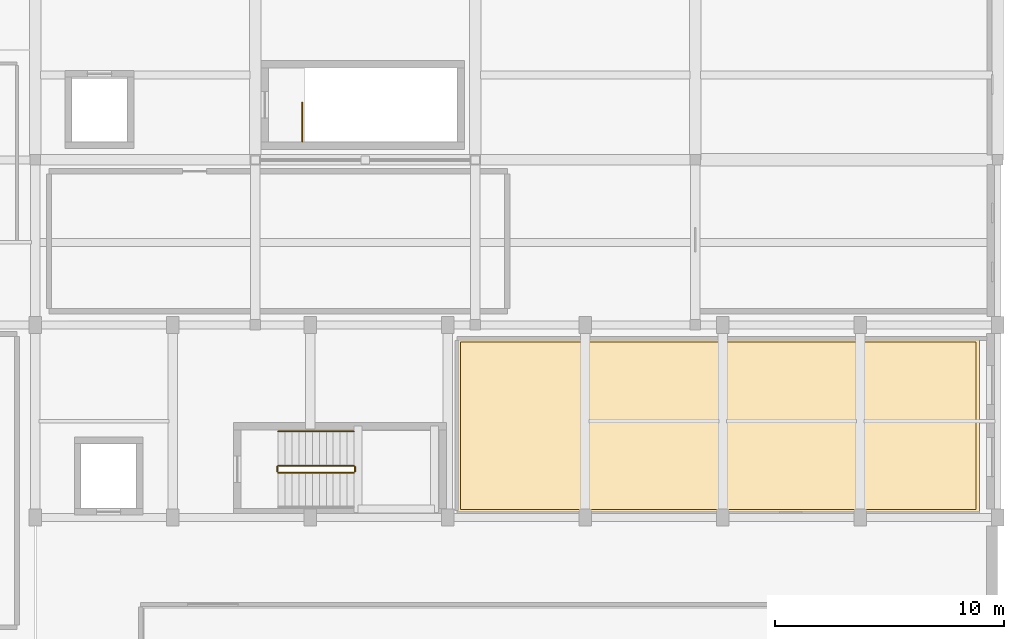
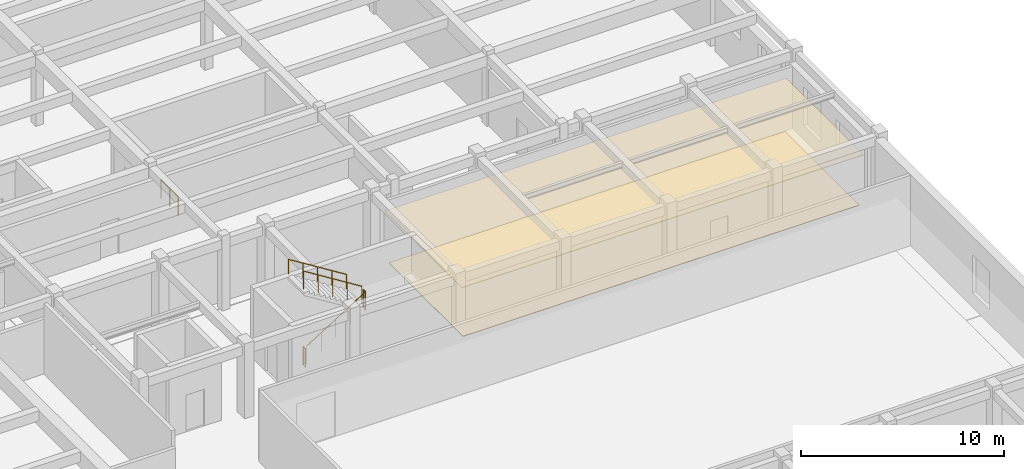
# One storey, part 91 of 91: 6 railings, 2 coverings.
"""IFC4 building model written with IfcOpenShell, lengths in metres."""

from ifc_helpers import new_model, si_unit, direction, frame, origin, origin_2d, place, context, subcontext, project, spatial, polyline, circle, outline, extrude, material, layer, layer_set, type_object, element, save


model = new_model("IFC4")

# Units and contexts
model_context = context("Model", 3, precision=1e-05, world=origin(), true_north=direction((0.0, 1.0)))
body_context = subcontext(model_context, "Body", "Model", "MODEL_VIEW")
ifc_project = project(units=[si_unit("LENGTHUNIT", "METRE"), si_unit("AREAUNIT", "SQUARE_METRE"), si_unit("VOLUMEUNIT", "CUBIC_METRE"), si_unit("PLANEANGLEUNIT", "RADIAN"), si_unit("MASSUNIT", "GRAM", prefix="KILO")], contexts=[model_context])

# Site, building, storey
site_placement = place(None, origin())
site = spatial("IfcSite", under=ifc_project, at=site_placement, CompositionType="ELEMENT")
building_placement = place(site_placement, origin())
building = spatial("IfcBuilding", under=site, at=building_placement, Name="Tarnavel Promenade Courthouse", CompositionType="ELEMENT")
storey_placement = place(building_placement, frame((0.0, 0.0, 9.89990234375)))
storey = spatial("IfcBuildingStorey", under=building, at=storey_placement, Name="L03", CompositionType="ELEMENT", Elevation=9.89990234375)

# Railing
ifc_material_1 = material(Name="Brushed Bronze Tubular Stair Handrail")
railing_type_1 = type_object("IfcRailingType", Name="Brushed Bronze Tubular Stair Handrail (RL-HND-0900)", PredefinedType="HANDRAIL", material=ifc_material_1)
railing_1_placement = place(storey_placement, frame((133.89990234375, 62.550048828125, 2.4375)))
element("IfcRailing", 1, at=railing_1_placement, inside=storey, type_object=railing_type_1, Name="L03 ST-08 stair handrail 2", PredefinedType="HANDRAIL", context=body_context, shape_type="SweptSolid", body=[
    extrude(circle(Radius=0.02392578125, at=origin_2d()), frame((0.0, 0.0, 0.8759765625), z_axis=(-0.847984204989, 0.0, 0.530021497762), x_axis=(0.0, -1.0, 0.0)), (0.0, 0.0, 1.0), 3.891357421875),
    extrude(circle(Radius=0.02099609375, at=origin_2d()), origin(), (0.0, 0.0, 1.0), 0.851806640625),
    extrude(circle(Radius=0.02099609375, at=origin_2d()), frame((-0.824951171875, 0.0, 0.515625)), (0.0, 0.0, 1.0), 0.851806640625),
    extrude(circle(Radius=0.02099609375, at=origin_2d()), frame((-1.64990234375, 0.0, 1.03125)), (0.0, 0.0, 1.0), 0.851806640625),
    extrude(circle(Radius=0.02099609375, at=origin_2d()), frame((-2.474853515625, 0.0, 1.546875)), (0.0, 0.0, 1.0), 0.851806640625),
    extrude(circle(Radius=0.02099609375, at=origin_2d()), frame((-3.2998046875, 0.0, 2.0625)), (0.0, 0.0, 1.0), 0.851806640625),
])

# Coverings
ifc_material_2 = material(Name="Engineered Smoked Oak Courtroom & Chambers Parquet")
ifc_layer_1 = layer(ifc_material_2, 0.031982421875)
ifc_layer_set_1 = layer_set([ifc_layer_1], Name="Engineered Smoked Oak Courtroom & Chambers Parquet")
covering_type_1 = type_object("IfcCoveringType", Name="Engineered Smoked Oak Courtroom & Chambers Parquet (COV-FLR-OAK-32)", PredefinedType="FLOORING", material=ifc_layer_set_1)
covering_1_placement = place(storey_placement, origin())
element("IfcCovering", 2, at=covering_1_placement, inside=storey, type_object=covering_type_1, Name="L03 Presiding Justices' Ceremonial Robing Suite Architectural Flooring 0022", PredefinedType="FLOORING", context=body_context, shape_type="SweptSolid", body=[
    extrude(outline(polyline([(138.550048828125, 59.14990234375), (161.050048828125, 59.14990234375), (161.050048828125, 66.449951171875), (138.550048828125, 66.449951171875), (138.550048828125, 59.14990234375)])), origin(), (0.0, 0.0, 1.0), 0.031982421875),
])
ifc_material_3 = material(Name="Micro-Perforated Acoustic Mineral-Fibre Ceiling")
ifc_layer_2 = layer(ifc_material_3, 0.044921875)
ifc_layer_set_2 = layer_set([ifc_layer_2], Name="Micro-Perforated Acoustic Mineral-Fibre Ceiling")
covering_type_2 = type_object("IfcCoveringType", Name="Micro-Perforated Acoustic Mineral-Fibre Ceiling (COV-CLG-MIN-45)", PredefinedType="CEILING", material=ifc_layer_set_2)
covering_2_placement = place(storey_placement, frame((0.0, 0.0, 3.05517578125)))
element("IfcCovering", 3, at=covering_2_placement, inside=storey, type_object=covering_type_2, Name="L03 Presiding Justices' Ceremonial Robing Suite Acoustic Ceiling 0022", PredefinedType="CEILING", context=body_context, shape_type="SweptSolid", body=[
    extrude(outline(polyline([(138.39990234375, 59.0), (161.199951171875, 59.0), (161.199951171875, 66.60009765625), (138.39990234375, 66.60009765625), (138.39990234375, 59.0)])), origin(), (0.0, 0.0, 1.0), 0.044921875),
])

# Railings
ifc_material_4 = material(Name="Painted Architectural Steel Core Stair Guardrail", Category="steel")
railing_type_2 = type_object("IfcRailingType", Name="Painted Architectural Steel Core Stair Guardrail (RL-GRD-1100)", PredefinedType="GUARDRAIL", material=ifc_material_4)
railing_2_placement = place(storey_placement, frame((131.64990234375, 75.199951171875, 0.0)))
element("IfcRailing", 4, at=railing_2_placement, inside=storey, type_object=railing_type_2, Name="L03 ST-06 top well guard 1", PredefinedType="GUARDRAIL", context=body_context, shape_type="SweptSolid", body=[
    extrude(circle(Radius=0.02392578125, at=origin_2d()), frame((0.0, 0.0, 1.076171875), z_axis=(0.0, 1.0, 0.0), x_axis=(-1.0, 0.0, 0.0)), (0.0, 0.0, 1.0), 1.699951171875),
    extrude(circle(Radius=0.02099609375, at=origin_2d()), origin(), (0.0, 0.0, 1.0), 1.052001953125),
    extrude(circle(Radius=0.02099609375, at=origin_2d()), frame((0.0, 0.85009765625, 0.0)), (0.0, 0.0, 1.0), 1.052001953125),
    extrude(circle(Radius=0.02099609375, at=origin_2d()), frame((0.0, 1.699951171875, 0.0)), (0.0, 0.0, 1.0), 1.052001953125),
])
railing_3_placement = place(storey_placement, frame((130.60009765625, 60.75, 0.1875)))
element("IfcRailing", 5, at=railing_3_placement, inside=storey, type_object=railing_type_2, Name="L03 ST-08 stair guard 1", PredefinedType="GUARDRAIL", context=body_context, shape_type="SweptSolid", body=[
    extrude(circle(Radius=0.02392578125, at=origin_2d()), frame((0.0, 0.0, 1.076171875), z_axis=(0.847984204989, 0.0, 0.530021497762), x_axis=(0.0, 1.0, 0.0)), (0.0, 0.0, 1.0), 3.891357421875),
    extrude(circle(Radius=0.02099609375, at=origin_2d()), origin(), (0.0, 0.0, 1.0), 1.052001953125),
    extrude(circle(Radius=0.02099609375, at=origin_2d()), frame((0.824951171875, 0.0, 0.515625)), (0.0, 0.0, 1.0), 1.052001953125),
    extrude(circle(Radius=0.02099609375, at=origin_2d()), frame((1.64990234375, 0.0, 1.03125)), (0.0, 0.0, 1.0), 1.052001953125),
    extrude(circle(Radius=0.02099609375, at=origin_2d()), frame((2.474853515625, 0.0, 1.546875)), (0.0, 0.0, 1.0), 1.052001953125),
    extrude(circle(Radius=0.02099609375, at=origin_2d()), frame((3.2998046875, 0.0, 2.0625)), (0.0, 0.0, 1.0), 1.052001953125),
])
railing_4_placement = place(storey_placement, frame((133.949951171875, 60.800048828125, 2.25)))
element("IfcRailing", 6, at=railing_4_placement, inside=storey, type_object=railing_type_2, Name="L03 ST-08 stair guard 2", PredefinedType="GUARDRAIL", context=body_context, shape_type="SweptSolid", body=[
    extrude(circle(Radius=0.02392578125, at=origin_2d()), frame((0.0, 0.0, 1.076171875), z_axis=(0.0, 1.0, 0.0), x_axis=(-1.0, 0.0, 0.0)), (0.0, 0.0, 1.0), 0.199951171875),
    extrude(circle(Radius=0.02099609375, at=origin_2d()), origin(), (0.0, 0.0, 1.0), 1.052001953125),
    extrude(circle(Radius=0.02099609375, at=origin_2d()), frame((0.0, 0.199951171875, 0.0)), (0.0, 0.0, 1.0), 1.052001953125),
])
railing_5_placement = place(storey_placement, frame((133.89990234375, 61.050048828125, 2.4375)))
element("IfcRailing", 7, at=railing_5_placement, inside=storey, type_object=railing_type_2, Name="L03 ST-08 stair guard 3", PredefinedType="GUARDRAIL", context=body_context, shape_type="SweptSolid", body=[
    extrude(circle(Radius=0.02392578125, at=origin_2d()), frame((0.0, 0.0, 1.076171875), z_axis=(-0.847984204989, 0.0, 0.530021497762), x_axis=(0.0, -1.0, 0.0)), (0.0, 0.0, 1.0), 3.891357421875),
    extrude(circle(Radius=0.02099609375, at=origin_2d()), origin(), (0.0, 0.0, 1.0), 1.052001953125),
    extrude(circle(Radius=0.02099609375, at=origin_2d()), frame((-0.824951171875, 0.0, 0.515625)), (0.0, 0.0, 1.0), 1.052001953125),
    extrude(circle(Radius=0.02099609375, at=origin_2d()), frame((-1.64990234375, 0.0, 1.03125)), (0.0, 0.0, 1.0), 1.052001953125),
    extrude(circle(Radius=0.02099609375, at=origin_2d()), frame((-2.474853515625, 0.0, 1.546875)), (0.0, 0.0, 1.0), 1.052001953125),
    extrude(circle(Radius=0.02099609375, at=origin_2d()), frame((-3.2998046875, 0.0, 2.0625)), (0.0, 0.0, 1.0), 1.052001953125),
])
railing_6_placement = place(storey_placement, frame((130.550048828125, 60.800048828125, 0.0)))
element("IfcRailing", 8, at=railing_6_placement, inside=storey, type_object=railing_type_2, Name="L03 ST-08 stair guard 4", PredefinedType="GUARDRAIL", context=body_context, shape_type="SweptSolid", body=[
    extrude(circle(Radius=0.02392578125, at=origin_2d()), frame((0.0, 0.0, 1.076171875), z_axis=(0.0, 1.0, 0.0), x_axis=(-1.0, 0.0, 0.0)), (0.0, 0.0, 1.0), 0.199951171875),
    extrude(circle(Radius=0.02099609375, at=origin_2d()), origin(), (0.0, 0.0, 1.0), 1.052001953125),
    extrude(circle(Radius=0.02099609375, at=origin_2d()), frame((0.0, 0.199951171875, 0.0)), (0.0, 0.0, 1.0), 1.052001953125),
])

save(model, "model.ifc")
